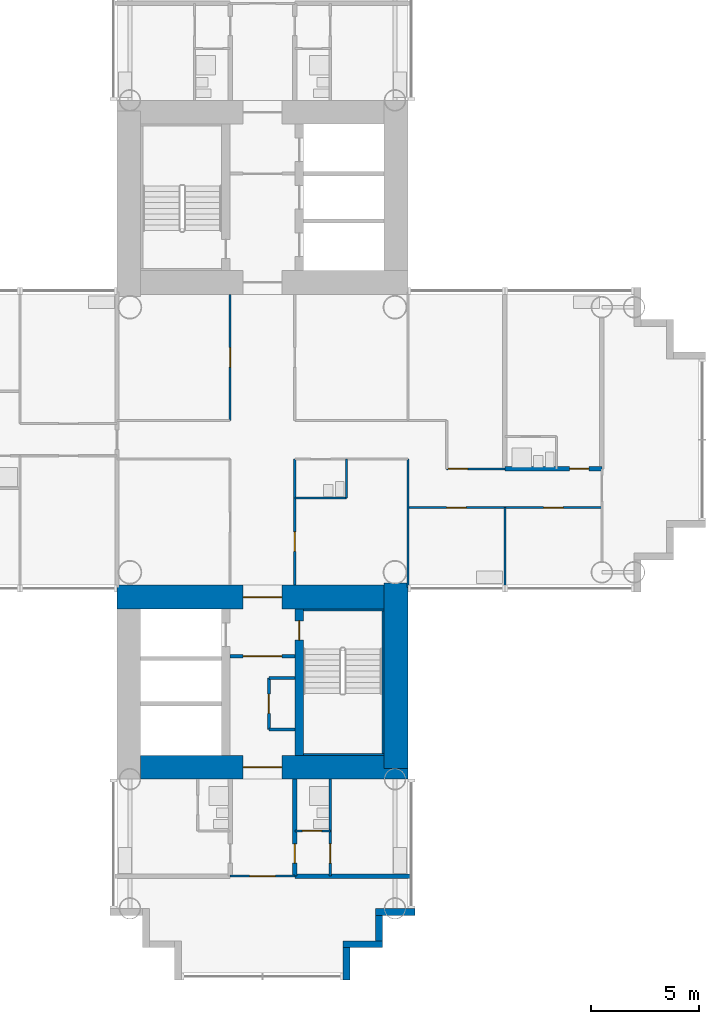
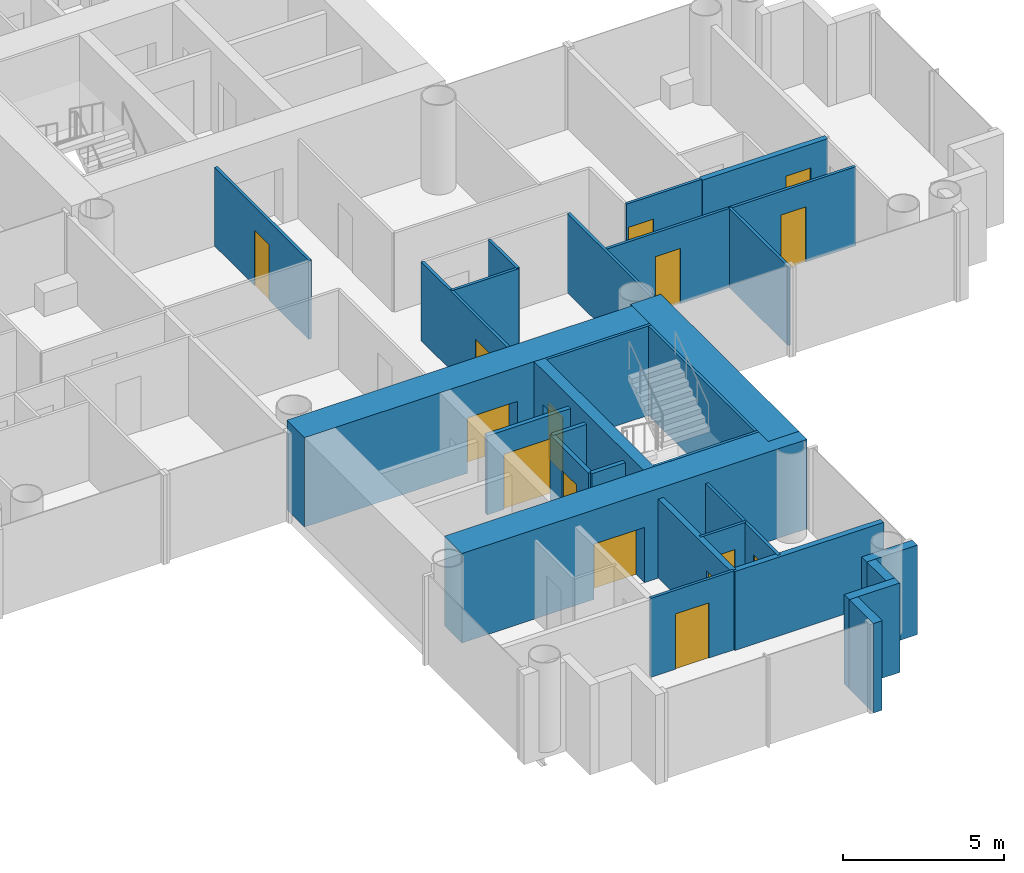
# One storey, part 13 of 21: 29 walls, 15 doors, 15 openings.
"""IFC4 building model written with IfcOpenShell, lengths in metres."""

from ifc_helpers import new_model, si_unit, direction, frame, frame_2d, origin, place, context, subcontext, project, spatial, rectangle, extrude, material, layer, layer_set, type_object, element, fill, save


model = new_model("IFC4")

# Units and contexts
model_context = context("Model", 3, precision=1e-05, world=origin(), true_north=direction((0.0, 1.0)))
body_context = subcontext(model_context, "Body", "Model", "MODEL_VIEW")
ifc_project = project(units=[si_unit("LENGTHUNIT", "METRE"), si_unit("AREAUNIT", "SQUARE_METRE"), si_unit("VOLUMEUNIT", "CUBIC_METRE"), si_unit("PLANEANGLEUNIT", "RADIAN"), si_unit("MASSUNIT", "GRAM", prefix="KILO")], contexts=[model_context])

# Site, building, storey
site_placement = place(None, origin())
site = spatial("IfcSite", under=ifc_project, at=site_placement, CompositionType="ELEMENT")
building_placement = place(site_placement, origin())
building = spatial("IfcBuilding", under=site, at=building_placement, Name="Ipe Terrace Towers", CompositionType="ELEMENT")
storey_placement = place(building_placement, frame((0.0, 0.0, 27.89990234375)))
storey = spatial("IfcBuildingStorey", under=building, at=storey_placement, Name="L06", CompositionType="ELEMENT", Elevation=27.89990234375)

# Walls
ifc_material_1 = material(Name="Concrete C40/50 with buff precast cladding", Category="concrete")
ifc_layer_1 = layer(ifc_material_1, 0.320068359375)
ifc_layer_set_1 = layer_set([ifc_layer_1], Name="BUFF CLADDING WALL 320")
wall_type_1 = type_object("IfcWallType", Name="BUFF CLADDING WALL 320", PredefinedType="STANDARD", material=ifc_layer_set_1)
wall_1_placement = place(storey_placement, frame((39.909912109375, -25.070068359375, -0.2998046875), z_axis=(0.0, 0.0, 1.0), x_axis=(0.0, 1.0, 0.0)))
element("IfcWall", 1, at=wall_1_placement, inside=storey, type_object=wall_type_1, Name="T2-W-L06-00a wall", PredefinedType="STANDARD", context=body_context, shape_type="SweptSolid", body=[
    extrude(rectangle(XDim=1.5, YDim=0.320068359375, at=frame_2d((0.75, 0.0))), origin(), (0.0, 0.0, 1.0), 3.39990234375),
])
wall_2_placement = place(storey_placement, frame((39.75, -23.409912109375, -0.2998046875), z_axis=(0.0, 0.0, 1.0), x_axis=(1.0, 0.0, 0.0)))
element("IfcWall", 2, at=wall_2_placement, inside=storey, type_object=wall_type_1, Name="T2-W-L06-01a wall", PredefinedType="STANDARD", context=body_context, shape_type="SweptSolid", body=[
    extrude(rectangle(XDim=1.820068359375, YDim=0.320068359375, at=frame_2d((0.91015625, 0.0))), origin(), (0.0, 0.0, 1.0), 3.39990234375),
])
wall_3_placement = place(storey_placement, frame((41.409912109375, -23.25, -0.2998046875), z_axis=(0.0, 0.0, 1.0), x_axis=(0.0, 1.0, 0.0)))
element("IfcWall", 3, at=wall_3_placement, inside=storey, type_object=wall_type_1, Name="T2-W-L06-02a wall", PredefinedType="STANDARD", context=body_context, shape_type="SweptSolid", body=[
    extrude(rectangle(XDim=1.179931640625, YDim=0.320068359375, at=frame_2d((0.58984375, 0.0))), origin(), (0.0, 0.0, 1.0), 3.39990234375),
])
wall_4_placement = place(storey_placement, frame((41.25, -21.909912109375, -0.2998046875), z_axis=(0.0, 0.0, 1.0), x_axis=(1.0, 0.0, 0.0)))
element("IfcWall", 4, at=wall_4_placement, inside=storey, type_object=wall_type_1, Name="T2-W-L06-03a wall", PredefinedType="STANDARD", context=body_context, shape_type="SweptSolid", body=[
    extrude(rectangle(XDim=1.820068359375, YDim=0.320068359375, at=frame_2d((0.91015625, 0.0))), origin(), (0.0, 0.0, 1.0), 3.39990234375),
])

# Wall, opening, door
ifc_material_2 = material(Name="Gypsum board partition", Category="plasterboard")
ifc_layer_2 = layer(ifc_material_2, 0.10009765625)
ifc_layer_set_2 = layer_set([ifc_layer_2], Name="Gypsum board partition 100 mm")
wall_type_2 = type_object("IfcWallType", Name="Gypsum board partition 100 mm", PredefinedType="PARTITIONING", material=ifc_layer_set_2)
wall_5_placement = place(storey_placement, frame((37.5, -20.25, 0.0), z_axis=(0.0, 0.0, 1.0), x_axis=(-1.0, 0.0, 0.0)))
wall_5 = element("IfcWall", 5, at=wall_5_placement, inside=storey, type_object=wall_type_2, Name="Gypsum board partition T2 L06 W01", PredefinedType="PARTITIONING", context=body_context, shape_type="SweptSolid", body=[
    extrude(rectangle(XDim=3.0, YDim=0.10009765625, at=frame_2d((1.5, 0.0))), origin(), (0.0, 0.0, 1.0), 3.0),
])
opening_1_placement = place(wall_5_placement, frame((0.89990234375, 0.0, 0.0)))
opening_1 = element("IfcOpeningElement", 6, at=opening_1_placement, cuts=wall_5, Name="Opening T2-Z1A-34", PredefinedType="OPENING", context=body_context, shape_type="SweptSolid", body=[
    extrude(rectangle(XDim=1.199951171875, YDim=2.10009765625, at=frame_2d((0.60009765625, 1.050048828125))), frame((0.0, 0.06005859375, 0.0), z_axis=(0.0, -1.0, 0.0), x_axis=(1.0, 0.0, 0.0)), (0.0, 0.0, 1.0), 0.1201171875),
])
ifc_material_3 = material(Name="Timber door leaf", Category="wood")
door_type_1 = type_object("IfcDoorType", Name="Lounge door 1200 x 2100", OperationType="NOTDEFINED", PredefinedType="DOOR", material=ifc_material_3)
door_1_placement = place(opening_1_placement, origin())
door_1 = element("IfcDoor", 7, at=door_1_placement, inside=storey, type_object=door_type_1, Name="Lounge door T2-Z1A-34", OperationType="SINGLE_SWING_LEFT", OverallHeight=2.10009765625, OverallWidth=1.199951171875, PredefinedType="DOOR", context=body_context, shape_type="SweptSolid", body=[
    extrude(rectangle(XDim=1.199951171875, YDim=2.10009765625, at=frame_2d((0.60009765625, 1.050048828125))), frame((0.0, 0.02490234375, 0.0), z_axis=(0.0, -1.0, 0.0), x_axis=(1.0, 0.0, 0.0)), (0.0, 0.0, 1.0), 0.050048828125),
])
fill(opening_1, door_1)

wall_6_placement = place(storey_placement, frame((39.14990234375, -18.14990234375, 0.0), z_axis=(0.0, 0.0, 1.0), x_axis=(-1.0, 0.0, 0.0)))
wall_6 = element("IfcWall", 8, at=wall_6_placement, inside=storey, type_object=wall_type_2, Name="Gypsum board partition T2 L06 W04", PredefinedType="PARTITIONING", context=body_context, shape_type="SweptSolid", body=[
    extrude(rectangle(XDim=1.64990234375, YDim=0.10009765625, at=frame_2d((0.824951171875, 0.0))), origin(), (0.0, 0.0, 1.0), 3.0),
])
opening_2_placement = place(wall_6_placement, frame((0.39990234375, 0.0, 0.0)))
opening_2 = element("IfcOpeningElement", 9, at=opening_2_placement, cuts=wall_6, Name="Opening T2-Z1A-31", PredefinedType="OPENING", context=body_context, shape_type="SweptSolid", body=[
    extrude(rectangle(XDim=0.89990234375, YDim=2.10009765625, at=frame_2d((0.449951171875, 1.050048828125))), frame((0.0, 0.06005859375, 0.0), z_axis=(0.0, -1.0, 0.0), x_axis=(1.0, 0.0, 0.0)), (0.0, 0.0, 1.0), 0.1201171875),
])
ifc_material_4 = material(Name="Timber door leaf", Category="wood")
door_type_2 = type_object("IfcDoorType", Name="Bathroom door 900 x 2100", OperationType="NOTDEFINED", PredefinedType="DOOR", material=ifc_material_4)
door_2_placement = place(opening_2_placement, origin())
door_2 = element("IfcDoor", 10, at=door_2_placement, inside=storey, type_object=door_type_2, Name="Bathroom door T2-Z1A-31", OperationType="SINGLE_SWING_RIGHT", OverallHeight=2.10009765625, OverallWidth=0.89990234375, PredefinedType="DOOR", context=body_context, shape_type="SweptSolid", body=[
    extrude(rectangle(XDim=0.89990234375, YDim=2.10009765625, at=frame_2d((0.449951171875, 1.050048828125))), frame((0.0, 0.02490234375, 0.0), z_axis=(0.0, -1.0, 0.0), x_axis=(1.0, 0.0, 0.0)), (0.0, 0.0, 1.0), 0.050048828125),
])
fill(opening_2, door_2)

# Wall, openings, doors
wall_7_placement = place(storey_placement, frame((51.75, -3.14990234375, 0.0), z_axis=(0.0, 0.0, 1.0), x_axis=(-1.0, 0.0, 0.0)))
wall_7 = element("IfcWall", 11, at=wall_7_placement, inside=storey, type_object=wall_type_2, Name="Gypsum board partition T2 L06 W06", PredefinedType="PARTITIONING", context=body_context, shape_type="SweptSolid", body=[
    extrude(rectangle(XDim=9.0, YDim=0.10009765625, at=frame_2d((4.5, 0.0))), origin(), (0.0, 0.0, 1.0), 3.0),
])
opening_3_placement = place(wall_7_placement, frame((6.300048828125, 0.0, 0.0)))
opening_3 = element("IfcOpeningElement", 12, at=opening_3_placement, cuts=wall_7, Name="Opening T2-Z1A-19", PredefinedType="OPENING", context=body_context, shape_type="SweptSolid", body=[
    extrude(rectangle(XDim=0.89990234375, YDim=2.10009765625, at=frame_2d((0.449951171875, 1.050048828125))), frame((0.0, 0.06005859375, 0.0), z_axis=(0.0, -1.0, 0.0), x_axis=(1.0, 0.0, 0.0)), (0.0, 0.0, 1.0), 0.1201171875),
])
opening_4_placement = place(wall_7_placement, frame((1.800048828125, 0.0, 0.0)))
opening_4 = element("IfcOpeningElement", 13, at=opening_4_placement, cuts=wall_7, Name="Opening T2-Z1A-20", PredefinedType="OPENING", context=body_context, shape_type="SweptSolid", body=[
    extrude(rectangle(XDim=0.89990234375, YDim=2.10009765625, at=frame_2d((0.449951171875, 1.050048828125))), frame((0.0, 0.06005859375, 0.0), z_axis=(0.0, -1.0, 0.0), x_axis=(1.0, 0.0, 0.0)), (0.0, 0.0, 1.0), 0.1201171875),
])
ifc_material_5 = material(Name="Timber door leaf", Category="wood")
door_type_3 = type_object("IfcDoorType", Name="Lounge door 900 x 2100", OperationType="NOTDEFINED", PredefinedType="DOOR", material=ifc_material_5)
door_3_placement = place(opening_3_placement, origin())
door_3 = element("IfcDoor", 14, at=door_3_placement, inside=storey, type_object=door_type_3, Name="Lounge door T2-Z1A-19", OperationType="SINGLE_SWING_LEFT", OverallHeight=2.10009765625, OverallWidth=0.89990234375, PredefinedType="DOOR", context=body_context, shape_type="SweptSolid", body=[
    extrude(rectangle(XDim=0.89990234375, YDim=2.10009765625, at=frame_2d((0.449951171875, 1.050048828125))), frame((0.0, 0.02490234375, 0.0), z_axis=(0.0, -1.0, 0.0), x_axis=(1.0, 0.0, 0.0)), (0.0, 0.0, 1.0), 0.050048828125),
])
fill(opening_3, door_3)
door_4_placement = place(opening_4_placement, origin())
door_4 = element("IfcDoor", 15, at=door_4_placement, inside=storey, type_object=door_type_3, Name="Lounge door T2-Z1A-20", OperationType="SINGLE_SWING_RIGHT", OverallHeight=2.10009765625, OverallWidth=0.89990234375, PredefinedType="DOOR", context=body_context, shape_type="SweptSolid", body=[
    extrude(rectangle(XDim=0.89990234375, YDim=2.10009765625, at=frame_2d((0.449951171875, 1.050048828125))), frame((0.0, 0.02490234375, 0.0), z_axis=(0.0, -1.0, 0.0), x_axis=(1.0, 0.0, 0.0)), (0.0, 0.0, 1.0), 0.050048828125),
])
fill(opening_4, door_4)

# Wall
wall_8_placement = place(storey_placement, frame((39.89990234375, -2.699951171875, 0.0), z_axis=(0.0, 0.0, 1.0), x_axis=(-1.0, 0.0, 0.0)))
element("IfcWall", 16, at=wall_8_placement, inside=storey, type_object=wall_type_2, Name="Gypsum board partition T2 L06 W07", PredefinedType="PARTITIONING", context=body_context, shape_type="SweptSolid", body=[
    extrude(rectangle(XDim=2.39990234375, YDim=0.10009765625, at=frame_2d((1.199951171875, 0.0))), origin(), (0.0, 0.0, 1.0), 3.0),
])

# Wall, opening, door
wall_9_placement = place(storey_placement, frame((47.25, -1.35009765625, 0.0), z_axis=(0.0, 0.0, 1.0), x_axis=(-1.0, 0.0, 0.0)))
wall_9 = element("IfcWall", 17, at=wall_9_placement, inside=storey, type_object=wall_type_2, Name="Gypsum board partition T2 L06 W09", PredefinedType="PARTITIONING", context=body_context, shape_type="SweptSolid", body=[
    extrude(rectangle(XDim=2.699951171875, YDim=0.10009765625, at=frame_2d((1.35009765625, 0.0))), origin(), (0.0, 0.0, 1.0), 3.0),
])
opening_5_placement = place(wall_9_placement, frame((1.72998046875, 0.0, 0.0)))
opening_5 = element("IfcOpeningElement", 18, at=opening_5_placement, cuts=wall_9, Name="Opening T2-Z1A-16", PredefinedType="OPENING", context=body_context, shape_type="SweptSolid", body=[
    extrude(rectangle(XDim=0.89990234375, YDim=2.10009765625, at=frame_2d((0.449951171875, 1.050048828125))), frame((0.0, 0.06005859375, 0.0), z_axis=(0.0, -1.0, 0.0), x_axis=(1.0, 0.0, 0.0)), (0.0, 0.0, 1.0), 0.1201171875),
])
door_5_placement = place(opening_5_placement, origin())
door_5 = element("IfcDoor", 19, at=door_5_placement, inside=storey, type_object=door_type_3, Name="Lounge door T2-Z1A-16", OperationType="SINGLE_SWING_RIGHT", OverallHeight=2.10009765625, OverallWidth=0.89990234375, PredefinedType="DOOR", context=body_context, shape_type="SweptSolid", body=[
    extrude(rectangle(XDim=0.89990234375, YDim=2.10009765625, at=frame_2d((0.449951171875, 1.050048828125))), frame((0.0, 0.02490234375, 0.0), z_axis=(0.0, -1.0, 0.0), x_axis=(1.0, 0.0, 0.0)), (0.0, 0.0, 1.0), 0.050048828125),
])
fill(opening_5, door_5)

# Walls
wall_10_placement = place(storey_placement, frame((47.25, -6.85009765625, 0.0), z_axis=(0.0, 0.0, 1.0), x_axis=(0.0, 1.0, 0.0)))
element("IfcWall", 20, at=wall_10_placement, inside=storey, type_object=wall_type_2, Name="Gypsum board partition T2 L06 W27", PredefinedType="PARTITIONING", context=body_context, shape_type="SweptSolid", body=[
    extrude(rectangle(XDim=3.7001953125, YDim=0.10009765625, at=frame_2d((1.85009765625, 0.0))), origin(), (0.0, 0.0, 1.0), 3.0),
])
wall_11_placement = place(storey_placement, frame((42.75, -6.85009765625, 0.0), z_axis=(0.0, 0.0, 1.0), x_axis=(0.0, 1.0, 0.0)))
element("IfcWall", 21, at=wall_11_placement, inside=storey, type_object=wall_type_2, Name="Gypsum board partition T2 L06 W30", PredefinedType="PARTITIONING", context=body_context, shape_type="SweptSolid", body=[
    extrude(rectangle(XDim=5.9501953125, YDim=0.10009765625, at=frame_2d((2.97509765625, 0.0))), origin(), (0.0, 0.0, 1.0), 3.0),
])
wall_12_placement = place(storey_placement, frame((39.89990234375, -2.699951171875, 0.0), z_axis=(0.0, 0.0, 1.0), x_axis=(0.0, 1.0, 0.0)))
element("IfcWall", 22, at=wall_12_placement, inside=storey, type_object=wall_type_2, Name="Gypsum board partition T2 L06 W32", PredefinedType="PARTITIONING", context=body_context, shape_type="SweptSolid", body=[
    extrude(rectangle(XDim=1.800048828125, YDim=0.10009765625, at=frame_2d((0.89990234375, 0.0))), origin(), (0.0, 0.0, 1.0), 3.0),
])

# Wall, opening, door
wall_13_placement = place(storey_placement, frame((39.14990234375, -20.25, 0.0), z_axis=(0.0, 0.0, 1.0), x_axis=(0.0, 1.0, 0.0)))
wall_13 = element("IfcWall", 23, at=wall_13_placement, inside=storey, type_object=wall_type_2, Name="Gypsum board partition T2 L06 W33", PredefinedType="PARTITIONING", context=body_context, shape_type="SweptSolid", body=[
    extrude(rectangle(XDim=4.5, YDim=0.10009765625, at=frame_2d((2.25, 0.0))), origin(), (0.0, 0.0, 1.0), 3.0),
])
opening_6_placement = place(wall_13_placement, frame((0.60009765625, 0.0, 0.0)))
opening_6 = element("IfcOpeningElement", 24, at=opening_6_placement, cuts=wall_13, Name="Opening T2-Z1A-30", PredefinedType="OPENING", context=body_context, shape_type="SweptSolid", body=[
    extrude(rectangle(XDim=0.89990234375, YDim=2.10009765625, at=frame_2d((0.449951171875, 1.050048828125))), frame((0.0, 0.06005859375, 0.0), z_axis=(0.0, -1.0, 0.0), x_axis=(1.0, 0.0, 0.0)), (0.0, 0.0, 1.0), 0.1201171875),
])
ifc_material_6 = material(Name="Timber door leaf", Category="wood")
door_type_4 = type_object("IfcDoorType", Name="Bedroom door 900 x 2100", OperationType="NOTDEFINED", PredefinedType="DOOR", material=ifc_material_6)
door_6_placement = place(opening_6_placement, origin())
door_6 = element("IfcDoor", 25, at=door_6_placement, inside=storey, type_object=door_type_4, Name="Bedroom door T2-Z1A-30", OperationType="SINGLE_SWING_LEFT", OverallHeight=2.10009765625, OverallWidth=0.89990234375, PredefinedType="DOOR", context=body_context, shape_type="SweptSolid", body=[
    extrude(rectangle(XDim=0.89990234375, YDim=2.10009765625, at=frame_2d((0.449951171875, 1.050048828125))), frame((0.0, 0.02490234375, 0.0), z_axis=(0.0, -1.0, 0.0), x_axis=(1.0, 0.0, 0.0)), (0.0, 0.0, 1.0), 0.050048828125),
])
fill(opening_6, door_6)

wall_14_placement = place(storey_placement, frame((37.5, -6.75, 0.0), z_axis=(0.0, 0.0, 1.0), x_axis=(0.0, 1.0, 0.0)))
wall_14 = element("IfcWall", 26, at=wall_14_placement, inside=storey, type_object=wall_type_2, Name="Gypsum board partition T2 L06 W35", PredefinedType="PARTITIONING", context=body_context, shape_type="SweptSolid", body=[
    extrude(rectangle(XDim=5.85009765625, YDim=0.10009765625, at=frame_2d((2.925048828125, 0.0))), origin(), (0.0, 0.0, 1.0), 3.0),
])
opening_7_placement = place(wall_14_placement, frame((1.574951171875, 0.0, 0.0)))
opening_7 = element("IfcOpeningElement", 27, at=opening_7_placement, cuts=wall_14, Name="Opening T2-Z1A-04", PredefinedType="OPENING", context=body_context, shape_type="SweptSolid", body=[
    extrude(rectangle(XDim=0.89990234375, YDim=2.10009765625, at=frame_2d((0.449951171875, 1.050048828125))), frame((0.0, 0.06005859375, 0.0), z_axis=(0.0, -1.0, 0.0), x_axis=(1.0, 0.0, 0.0)), (0.0, 0.0, 1.0), 0.1201171875),
])
door_7_placement = place(opening_7_placement, origin())
door_7 = element("IfcDoor", 28, at=door_7_placement, inside=storey, type_object=door_type_3, Name="Lounge door T2-Z1A-04", OperationType="SINGLE_SWING_LEFT", OverallHeight=2.10009765625, OverallWidth=0.89990234375, PredefinedType="DOOR", context=body_context, shape_type="SweptSolid", body=[
    extrude(rectangle(XDim=0.89990234375, YDim=2.10009765625, at=frame_2d((0.449951171875, 1.050048828125))), frame((0.0, 0.02490234375, 0.0), z_axis=(0.0, -1.0, 0.0), x_axis=(1.0, 0.0, 0.0)), (0.0, 0.0, 1.0), 0.050048828125),
])
fill(opening_7, door_7)

wall_15_placement = place(storey_placement, frame((34.5, 0.89990234375, 0.0), z_axis=(0.0, 0.0, 1.0), x_axis=(0.0, 1.0, 0.0)))
wall_15 = element("IfcWall", 29, at=wall_15_placement, inside=storey, type_object=wall_type_2, Name="Gypsum board partition T2 L06 W40", PredefinedType="PARTITIONING", context=body_context, shape_type="SweptSolid", body=[
    extrude(rectangle(XDim=5.85009765625, YDim=0.10009765625, at=frame_2d((2.925048828125, 0.0))), origin(), (0.0, 0.0, 1.0), 3.0),
])
opening_8_placement = place(wall_15_placement, frame((2.47509765625, 0.0, 0.0)))
opening_8 = element("IfcOpeningElement", 30, at=opening_8_placement, cuts=wall_15, Name="Opening T2-Z1A-02", PredefinedType="OPENING", context=body_context, shape_type="SweptSolid", body=[
    extrude(rectangle(XDim=0.89990234375, YDim=2.10009765625, at=frame_2d((0.449951171875, 1.050048828125))), frame((0.0, 0.06005859375, 0.0), z_axis=(0.0, -1.0, 0.0), x_axis=(1.0, 0.0, 0.0)), (0.0, 0.0, 1.0), 0.1201171875),
])
door_8_placement = place(opening_8_placement, origin())
door_8 = element("IfcDoor", 31, at=door_8_placement, inside=storey, type_object=door_type_3, Name="Lounge door T2-Z1A-02", OperationType="SINGLE_SWING_LEFT", OverallHeight=2.10009765625, OverallWidth=0.89990234375, PredefinedType="DOOR", context=body_context, shape_type="SweptSolid", body=[
    extrude(rectangle(XDim=0.89990234375, YDim=2.10009765625, at=frame_2d((0.449951171875, 1.050048828125))), frame((0.0, 0.02490234375, 0.0), z_axis=(0.0, -1.0, 0.0), x_axis=(1.0, 0.0, 0.0)), (0.0, 0.0, 1.0), 0.050048828125),
])
fill(opening_8, door_8)

ifc_material_7 = material(Name="Gypsum board partition", Category="plasterboard")
ifc_layer_3 = layer(ifc_material_7, 0.14990234375)
ifc_layer_set_3 = layer_set([ifc_layer_3], Name="Gypsum board partition 150 mm")
wall_type_3 = type_object("IfcWallType", Name="Gypsum board partition 150 mm", PredefinedType="PARTITIONING", material=ifc_layer_set_3)
wall_16_placement = place(storey_placement, frame((34.5, -10.050048828125, 0.0), z_axis=(0.0, 0.0, 1.0), x_axis=(1.0, 0.0, 0.0)))
wall_16 = element("IfcWall", 32, at=wall_16_placement, inside=storey, type_object=wall_type_3, Name="Gypsum board partition T2 L06 t2c2-lobby-wall", PredefinedType="PARTITIONING", context=body_context, shape_type="SweptSolid", body=[
    extrude(rectangle(XDim=3.0, YDim=0.14990234375, at=frame_2d((1.5, 0.0))), origin(), (0.0, 0.0, 1.0), 3.0),
])
opening_9_placement = place(wall_16_placement, frame((0.60009765625, 0.0, 0.0)))
opening_9 = element("IfcOpeningElement", 33, at=opening_9_placement, cuts=wall_16, Name="Opening T2C2-VD", PredefinedType="OPENING", context=body_context, shape_type="SweptSolid", body=[
    extrude(rectangle(XDim=1.800048828125, YDim=2.10009765625, at=frame_2d((0.89990234375, 1.050048828125))), frame((0.0, 0.0849609375, 0.0), z_axis=(0.0, -1.0, 0.0), x_axis=(1.0, 0.0, 0.0)), (0.0, 0.0, 1.0), 0.169921875),
])
ifc_material_8 = material(Name="Fire-rated timber door leaf", Category="wood")
door_type_5 = type_object("IfcDoorType", Name="Lobby door 1800 x 2100 FD60", OperationType="NOTDEFINED", PredefinedType="DOOR", material=ifc_material_8)
door_9_placement = place(opening_9_placement, origin())
door_9 = element("IfcDoor", 34, at=door_9_placement, inside=storey, type_object=door_type_5, Name="Lobby door T2C2-VD", OperationType="SINGLE_SWING_LEFT", OverallHeight=2.10009765625, OverallWidth=1.800048828125, PredefinedType="DOOR", context=body_context, shape_type="SweptSolid", body=[
    extrude(rectangle(XDim=1.800048828125, YDim=2.10009765625, at=frame_2d((0.89990234375, 1.050048828125))), frame((0.0, 0.02490234375, 0.0), z_axis=(0.0, -1.0, 0.0), x_axis=(1.0, 0.0, 0.0)), (0.0, 0.0, 1.0), 0.050048828125),
])
fill(opening_9, door_9)

wall_17_placement = place(storey_placement, frame((36.300048828125, -11.050048828125, 0.0), z_axis=(0.0, 0.0, 1.0), x_axis=(0.0, -1.0, 0.0)))
wall_17 = element("IfcWall", 35, at=wall_17_placement, inside=storey, type_object=wall_type_3, Name="Gypsum board partition T2 L06 t2c2-cup-n-f", PredefinedType="PARTITIONING", context=body_context, shape_type="SweptSolid", body=[
    extrude(rectangle(XDim=2.39990234375, YDim=0.14990234375, at=frame_2d((1.199951171875, 0.0))), origin(), (0.0, 0.0, 1.0), 3.0),
])
opening_10_placement = place(wall_17_placement, frame((0.75, 0.0, 0.0)))
opening_10 = element("IfcOpeningElement", 36, at=opening_10_placement, cuts=wall_17, Name="Opening T2C2-SR", PredefinedType="OPENING", context=body_context, shape_type="SweptSolid", body=[
    extrude(rectangle(XDim=0.89990234375, YDim=2.10009765625, at=frame_2d((0.449951171875, 1.050048828125))), frame((0.0, 0.0849609375, 0.0), z_axis=(0.0, -1.0, 0.0), x_axis=(1.0, 0.0, 0.0)), (0.0, 0.0, 1.0), 0.169921875),
])
ifc_material_9 = material(Name="Fire-rated timber door leaf", Category="wood")
door_type_6 = type_object("IfcDoorType", Name="Service door 900 x 2100 FD60", OperationType="NOTDEFINED", PredefinedType="DOOR", material=ifc_material_9)
door_10_placement = place(opening_10_placement, origin())
door_10 = element("IfcDoor", 37, at=door_10_placement, inside=storey, type_object=door_type_6, Name="Service door T2C2-SR", OperationType="SINGLE_SWING_LEFT", OverallHeight=2.10009765625, OverallWidth=0.89990234375, PredefinedType="DOOR", context=body_context, shape_type="SweptSolid", body=[
    extrude(rectangle(XDim=0.89990234375, YDim=2.10009765625, at=frame_2d((0.449951171875, 1.050048828125))), frame((0.0, 0.02490234375, 0.0), z_axis=(0.0, -1.0, 0.0), x_axis=(1.0, 0.0, 0.0)), (0.0, 0.0, 1.0), 0.050048828125),
])
fill(opening_10, door_10)

# Walls
for number, where, z_axis, x_axis, name in (
    (38, (36.300048828125, -11.050048828125, 0.0), (0.0, 0.0, 1.0), (1.0, 0.0, 0.0), "Gypsum board partition T2 L06 t2c2-cup-n-a"),
    (39, (36.300048828125, -13.449951171875, 0.0), (0.0, 0.0, 1.0), (1.0, 0.0, 0.0), "Gypsum board partition T2 L06 t2c2-cup-n-b"),
):
    element("IfcWall", number, at=place(storey_placement, frame(where, z_axis=z_axis, x_axis=x_axis)), inside=storey, type_object=wall_type_3, Name=name, PredefinedType="PARTITIONING", context=body_context, shape_type="SweptSolid", body=[
        extrude(rectangle(XDim=1.199951171875, YDim=0.14990234375, at=frame_2d((0.60009765625, 0.0))), origin(), (0.0, 0.0, 1.0), 3.0),
    ])
ifc_material_10 = material(Name="Gypsum board party wall", Category="plasterboard")
ifc_layer_4 = layer(ifc_material_10, 0.199951171875)
ifc_layer_set_4 = layer_set([ifc_layer_4], Name="Gypsum board party wall 200 mm")
wall_type_4 = type_object("IfcWallType", Name="Gypsum board party wall 200 mm", PredefinedType="SOLIDWALL", material=ifc_layer_set_4)
wall_18_placement = place(storey_placement, frame((42.85009765625, -20.25, 0.0), z_axis=(0.0, 0.0, 1.0), x_axis=(-1.0, 0.0, 0.0)))
element("IfcWall", 40, at=wall_18_placement, inside=storey, type_object=wall_type_4, Name="Gypsum board party wall T2 L06 W02", PredefinedType="SOLIDWALL", context=body_context, shape_type="SweptSolid", body=[
    extrude(rectangle(XDim=5.35009765625, YDim=0.199951171875, at=frame_2d((2.675048828125, 0.0))), origin(), (0.0, 0.0, 1.0), 3.0),
])

# Wall, opening, door
wall_19_placement = place(storey_placement, frame((51.75, -1.35009765625, 0.0), z_axis=(0.0, 0.0, 1.0), x_axis=(-1.0, 0.0, 0.0)))
wall_19 = element("IfcWall", 41, at=wall_19_placement, inside=storey, type_object=wall_type_4, Name="Gypsum board party wall T2 L06 W10", PredefinedType="SOLIDWALL", context=body_context, shape_type="SweptSolid", body=[
    extrude(rectangle(XDim=4.5, YDim=0.199951171875, at=frame_2d((2.25, 0.0))), origin(), (0.0, 0.0, 1.0), 3.0),
])
opening_11_placement = place(wall_19_placement, frame((0.60009765625, 0.0, 0.0)))
opening_11 = element("IfcOpeningElement", 42, at=opening_11_placement, cuts=wall_19, Name="Opening T2-Z1A-17", PredefinedType="OPENING", context=body_context, shape_type="SweptSolid", body=[
    extrude(rectangle(XDim=0.89990234375, YDim=2.10009765625, at=frame_2d((0.449951171875, 1.050048828125))), frame((0.0, 0.10986328125, 0.0), z_axis=(0.0, -1.0, 0.0), x_axis=(1.0, 0.0, 0.0)), (0.0, 0.0, 1.0), 0.219970703125),
])
ifc_material_11 = material(Name="Fire-rated timber door leaf", Category="wood")
door_type_7 = type_object("IfcDoorType", Name="Flat entrance door 900 x 2100 FD30S", OperationType="NOTDEFINED", PredefinedType="DOOR", material=ifc_material_11)
door_11_placement = place(opening_11_placement, origin())
door_11 = element("IfcDoor", 43, at=door_11_placement, inside=storey, type_object=door_type_7, Name="Flat entrance door T2-Z1A-17", OperationType="SINGLE_SWING_LEFT", OverallHeight=2.10009765625, OverallWidth=0.89990234375, PredefinedType="DOOR", context=body_context, shape_type="SweptSolid", body=[
    extrude(rectangle(XDim=0.89990234375, YDim=2.10009765625, at=frame_2d((0.449951171875, 1.050048828125))), frame((0.0, 0.02490234375, 0.0), z_axis=(0.0, -1.0, 0.0), x_axis=(1.0, 0.0, 0.0)), (0.0, 0.0, 1.0), 0.050048828125),
])
fill(opening_11, door_11)

wall_20_placement = place(storey_placement, frame((37.5, -20.25, 0.0), z_axis=(0.0, 0.0, 1.0), x_axis=(0.0, 1.0, 0.0)))
wall_20 = element("IfcWall", 44, at=wall_20_placement, inside=storey, type_object=wall_type_4, Name="Gypsum board party wall T2 L06 W37", PredefinedType="SOLIDWALL", context=body_context, shape_type="SweptSolid", body=[
    extrude(rectangle(XDim=4.5, YDim=0.199951171875, at=frame_2d((2.25, 0.0))), origin(), (0.0, 0.0, 1.0), 3.0),
])
opening_12_placement = place(wall_20_placement, frame((0.60009765625, 0.0, 0.0)))
opening_12 = element("IfcOpeningElement", 45, at=opening_12_placement, cuts=wall_20, Name="Opening T2-Z1A-29", PredefinedType="OPENING", context=body_context, shape_type="SweptSolid", body=[
    extrude(rectangle(XDim=0.89990234375, YDim=2.10009765625, at=frame_2d((0.449951171875, 1.050048828125))), frame((0.0, 0.10986328125, 0.0), z_axis=(0.0, -1.0, 0.0), x_axis=(1.0, 0.0, 0.0)), (0.0, 0.0, 1.0), 0.219970703125),
])
door_12_placement = place(opening_12_placement, origin())
door_12 = element("IfcDoor", 46, at=door_12_placement, inside=storey, type_object=door_type_7, Name="Flat entrance door T2-Z1A-29", OperationType="SINGLE_SWING_LEFT", OverallHeight=2.10009765625, OverallWidth=0.89990234375, PredefinedType="DOOR", context=body_context, shape_type="SweptSolid", body=[
    extrude(rectangle(XDim=0.89990234375, YDim=2.10009765625, at=frame_2d((0.449951171875, 1.050048828125))), frame((0.0, 0.02490234375, 0.0), z_axis=(0.0, -1.0, 0.0), x_axis=(1.0, 0.0, 0.0)), (0.0, 0.0, 1.0), 0.050048828125),
])
fill(opening_12, door_12)

# Walls
ifc_material_12 = material(Name="Concrete C60/75", Category="concrete")
ifc_layer_5 = layer(ifc_material_12, 0.10009765625)
ifc_layer_set_5 = layer_set([ifc_layer_5], Name="RW100 CORE INFILL WALL 100 C60-75")
wall_type_5 = type_object("IfcWallType", Name="RW100 CORE INFILL WALL 100 C60-75", PredefinedType="SHEAR", material=ifc_layer_set_5)
wall_21_placement = place(storey_placement, frame((37.89990234375, -14.60009765625, 0.0), z_axis=(0.0, 0.0, 1.0), x_axis=(1.0, 0.0, 0.0)))
element("IfcWall", 47, at=wall_21_placement, inside=storey, type_object=wall_type_5, Name="Core infill wall T2-C2-far", PredefinedType="SHEAR", context=body_context, shape_type="SweptSolid", body=[
    extrude(rectangle(XDim=3.75, YDim=0.10009765625, at=frame_2d((1.875, 0.0))), origin(), (0.0, 0.0, 1.0), 3.400146484375),
])
wall_22_placement = place(storey_placement, frame((41.60009765625, -7.949951171875, 0.0), z_axis=(0.0, 0.0, 1.0), x_axis=(0.0, -1.0, 0.0)))
element("IfcWall", 48, at=wall_22_placement, inside=storey, type_object=wall_type_5, Name="Core infill wall T2-C2-back", PredefinedType="SHEAR", context=body_context, shape_type="SweptSolid", body=[
    extrude(rectangle(XDim=6.60009765625, YDim=0.10009765625, at=frame_2d((3.300048828125, 0.0))), origin(), (0.0, 0.0, 1.0), 3.400146484375),
])
wall_23_placement = place(storey_placement, frame((37.89990234375, -7.89990234375, 0.0), z_axis=(0.0, 0.0, 1.0), x_axis=(1.0, 0.0, 0.0)))
element("IfcWall", 49, at=wall_23_placement, inside=storey, type_object=wall_type_5, Name="Core infill wall T2-C2-near", PredefinedType="SHEAR", context=body_context, shape_type="SweptSolid", body=[
    extrude(rectangle(XDim=3.75, YDim=0.10009765625, at=frame_2d((1.875, 0.0))), origin(), (0.0, 0.0, 1.0), 3.400146484375),
])

# Wall, opening, door
ifc_material_13 = material(Name="Concrete C60/75", Category="concrete")
ifc_layer_6 = layer(ifc_material_13, 1.10009765625)
ifc_layer_set_6 = layer_set([ifc_layer_6], Name="RW1100 CORE WALL 1100 C60-75")
wall_type_6 = type_object("IfcWallType", Name="RW1100 CORE WALL 1100 C60-75", PredefinedType="SHEAR", material=ifc_layer_set_6)
wall_24_placement = place(storey_placement, frame((30.35009765625, -15.199951171875, 0.0), z_axis=(0.0, 0.0, 1.0), x_axis=(1.0, 0.0, 0.0)))
wall_24 = element("IfcWall", 50, at=wall_24_placement, inside=storey, type_object=wall_type_6, Name="Core wall T2-C2-Z1-W01", PredefinedType="SHEAR", context=body_context, shape_type="SweptSolid", body=[
    extrude(rectangle(XDim=12.39990234375, YDim=1.10009765625, at=frame_2d((6.199951171875, 0.0))), origin(), (0.0, 0.0, 1.0), 3.400146484375),
])
opening_13_placement = place(wall_24_placement, frame((4.75, 0.0, 0.0)))
opening_13 = element("IfcOpeningElement", 51, at=opening_13_placement, cuts=wall_24, Name="Opening T2C2-FD", PredefinedType="OPENING", context=body_context, shape_type="SweptSolid", body=[
    extrude(rectangle(XDim=1.800048828125, YDim=2.10009765625, at=frame_2d((0.89990234375, 1.050048828125))), frame((0.0, 0.56005859375, 0.0), z_axis=(0.0, -1.0, 0.0), x_axis=(1.0, 0.0, 0.0)), (0.0, 0.0, 1.0), 1.1201171875),
])
ifc_material_14 = material(Name="Fire-rated timber door leaf", Category="wood")
door_type_8 = type_object("IfcDoorType", Name="Fire door 1800 x 2100 FD30S", OperationType="NOTDEFINED", PredefinedType="DOOR", material=ifc_material_14)
door_13_placement = place(opening_13_placement, origin())
door_13 = element("IfcDoor", 52, at=door_13_placement, inside=storey, type_object=door_type_8, Name="Fire door T2C2-FD", OperationType="SINGLE_SWING_LEFT", OverallHeight=2.10009765625, OverallWidth=1.800048828125, PredefinedType="DOOR", context=body_context, shape_type="SweptSolid", body=[
    extrude(rectangle(XDim=1.800048828125, YDim=2.10009765625, at=frame_2d((0.89990234375, 1.050048828125))), frame((0.0, 0.02490234375, 0.0), z_axis=(0.0, -1.0, 0.0), x_axis=(1.0, 0.0, 0.0)), (0.0, 0.0, 1.0), 0.050048828125),
])
fill(opening_13, door_13)

# Wall
wall_25_placement = place(storey_placement, frame((42.199951171875, -15.248046875, 0.0), z_axis=(0.0, 0.0, 1.0), x_axis=(0.0, 1.0, 0.0)))
element("IfcWall", 53, at=wall_25_placement, inside=storey, type_object=wall_type_6, Name="Core wall T2-C2-Z1-W02", PredefinedType="SHEAR", context=body_context, shape_type="SweptSolid", body=[
    extrude(rectangle(XDim=8.595947265625, YDim=1.10009765625, at=frame_2d((4.2978515625, 0.0))), origin(), (0.0, 0.0, 1.0), 3.400146484375),
])

# Wall, opening, door
wall_26_placement = place(storey_placement, frame((41.64990234375, -7.300048828125, 0.0), z_axis=(0.0, 0.0, 1.0), x_axis=(-1.0, 0.0, 0.0)))
wall_26 = element("IfcWall", 54, at=wall_26_placement, inside=storey, type_object=wall_type_6, Name="Core wall T2-C2-Z1-W03", PredefinedType="SHEAR", context=body_context, shape_type="SweptSolid", body=[
    extrude(rectangle(XDim=12.39990234375, YDim=1.10009765625, at=frame_2d((6.199951171875, 0.0))), origin(), (0.0, 0.0, 1.0), 3.400146484375),
])
opening_14_placement = place(wall_26_placement, frame((4.75, 0.0, 0.0)))
opening_14 = element("IfcOpeningElement", 55, at=opening_14_placement, cuts=wall_26, Name="Opening T2C2-ND", PredefinedType="OPENING", context=body_context, shape_type="SweptSolid", body=[
    extrude(rectangle(XDim=1.800048828125, YDim=2.10009765625, at=frame_2d((0.89990234375, 1.050048828125))), frame((0.0, 0.56005859375, 0.0), z_axis=(0.0, -1.0, 0.0), x_axis=(1.0, 0.0, 0.0)), (0.0, 0.0, 1.0), 1.1201171875),
])
door_14_placement = place(opening_14_placement, origin())
door_14 = element("IfcDoor", 56, at=door_14_placement, inside=storey, type_object=door_type_8, Name="Fire door T2C2-ND", OperationType="SINGLE_SWING_LEFT", OverallHeight=2.10009765625, OverallWidth=1.800048828125, PredefinedType="DOOR", context=body_context, shape_type="SweptSolid", body=[
    extrude(rectangle(XDim=1.800048828125, YDim=2.10009765625, at=frame_2d((0.89990234375, 1.050048828125))), frame((0.0, 0.02490234375, 0.0), z_axis=(0.0, -1.0, 0.0), x_axis=(1.0, 0.0, 0.0)), (0.0, 0.0, 1.0), 0.050048828125),
])
fill(opening_14, door_14)

ifc_material_15 = material(Name="Concrete C60/75", Category="concrete")
ifc_layer_7 = layer(ifc_material_15, 0.39990234375)
ifc_layer_set_7 = layer_set([ifc_layer_7], Name="RW400 CORE SPINE WALL 400 C60-75")
wall_type_7 = type_object("IfcWallType", Name="RW400 CORE SPINE WALL 400 C60-75", PredefinedType="SHEAR", material=ifc_layer_set_7)
wall_27_placement = place(storey_placement, frame((37.699951171875, -14.64990234375, 0.0), z_axis=(0.0, 0.0, 1.0), x_axis=(0.0, 1.0, 0.0)))
wall_27 = element("IfcWall", 57, at=wall_27_placement, inside=storey, type_object=wall_type_7, Name="Core spine wall T2-C2-Z1-SW2", PredefinedType="SHEAR", context=body_context, shape_type="SweptSolid", body=[
    extrude(rectangle(XDim=6.7998046875, YDim=0.39990234375, at=frame_2d((3.39990234375, 0.0))), origin(), (0.0, 0.0, 1.0), 3.400146484375),
])
opening_15_placement = place(wall_27_placement, frame((5.35009765625, 0.0, 0.0)))
opening_15 = element("IfcOpeningElement", 58, at=opening_15_placement, cuts=wall_27, Name="Opening T2C2-SD", PredefinedType="OPENING", context=body_context, shape_type="SweptSolid", body=[
    extrude(rectangle(XDim=0.89990234375, YDim=2.10009765625, at=frame_2d((0.449951171875, 1.050048828125))), frame((0.0, 0.2099609375, 0.0), z_axis=(0.0, -1.0, 0.0), x_axis=(1.0, 0.0, 0.0)), (0.0, 0.0, 1.0), 0.419921875),
])
ifc_material_16 = material(Name="Fire-rated timber door leaf", Category="wood")
door_type_9 = type_object("IfcDoorType", Name="Stair door 900 x 2100 FD60", OperationType="NOTDEFINED", PredefinedType="DOOR", material=ifc_material_16)
door_15_placement = place(opening_15_placement, origin())
door_15 = element("IfcDoor", 59, at=door_15_placement, inside=storey, type_object=door_type_9, Name="Stair door T2C2-SD", OperationType="SINGLE_SWING_RIGHT", OverallHeight=2.10009765625, OverallWidth=0.89990234375, PredefinedType="DOOR", context=body_context, shape_type="SweptSolid", body=[
    extrude(rectangle(XDim=0.89990234375, YDim=2.10009765625, at=frame_2d((0.449951171875, 1.050048828125))), frame((0.0, 0.02490234375, 0.0), z_axis=(0.0, -1.0, 0.0), x_axis=(1.0, 0.0, 0.0)), (0.0, 0.0, 1.0), 0.050048828125),
])
fill(opening_15, door_15)

save(model, "model.ifc")
